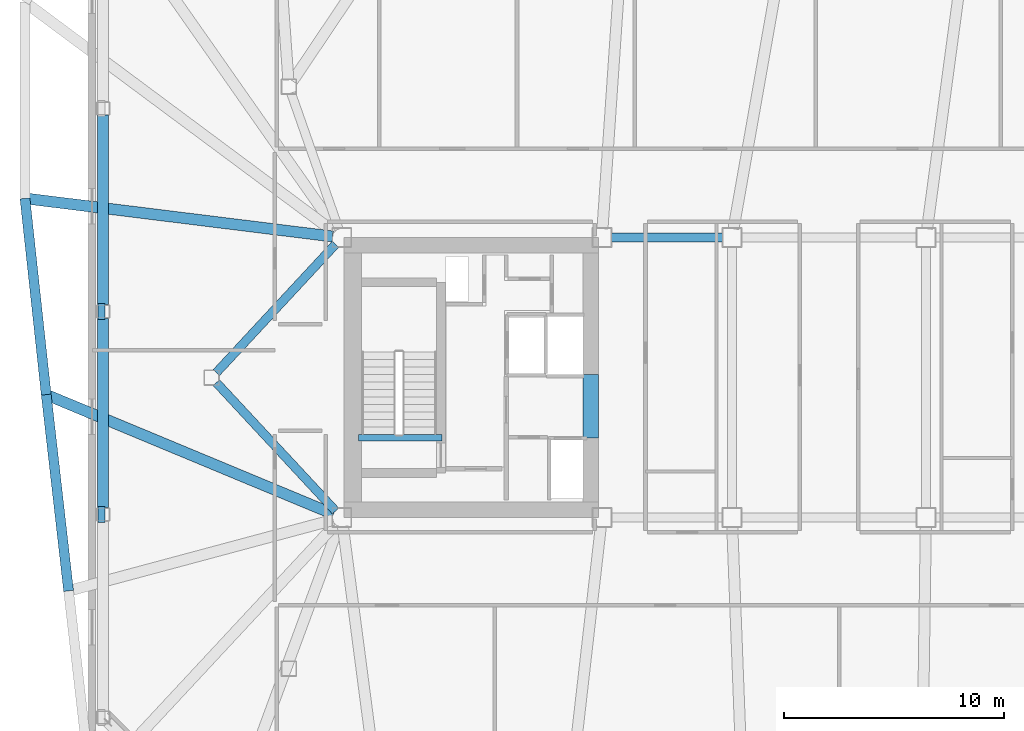
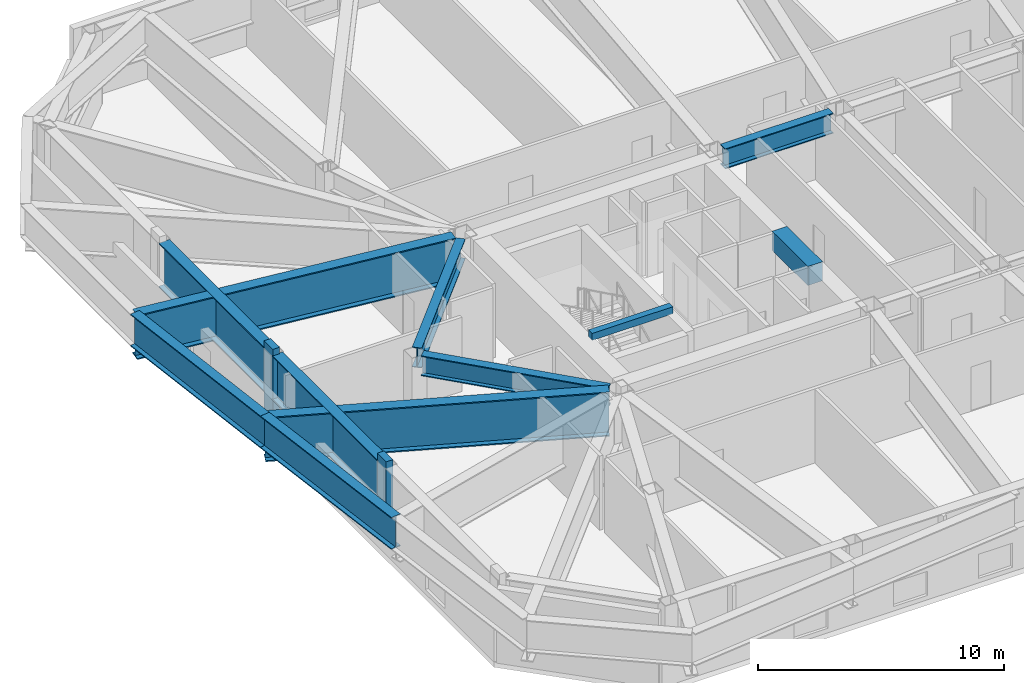
# One storey, part 3 of 19: 11 beams, 2 members.
"""IFC4 building model written with IfcOpenShell, lengths in metres."""

from ifc_helpers import new_model, si_unit, direction, frame, origin, origin_2d, place, context, subcontext, project, spatial, rectangle, i_section, extrude, material, material_profile, profile_set, type_object, element, save


model = new_model("IFC4")

# Units and contexts
model_context = context("Model", 3, precision=1e-05, world=origin(), true_north=direction((0.0, 1.0)))
body_context = subcontext(model_context, "Body", "Model", "MODEL_VIEW")
ifc_project = project(units=[si_unit("LENGTHUNIT", "METRE"), si_unit("AREAUNIT", "SQUARE_METRE"), si_unit("VOLUMEUNIT", "CUBIC_METRE"), si_unit("PLANEANGLEUNIT", "RADIAN"), si_unit("MASSUNIT", "GRAM", prefix="KILO")], contexts=[model_context])

# Site, building, storey
site_placement = place(None, origin())
site = spatial("IfcSite", under=ifc_project, at=site_placement, CompositionType="ELEMENT")
building_placement = place(site_placement, origin())
building = spatial("IfcBuilding", under=site, at=building_placement, Name="Tavrogorsk Clinical Tower", CompositionType="ELEMENT")
storey_placement = place(building_placement, frame((0.0, 0.0, 204.199951171875)))
storey = spatial("IfcBuildingStorey", under=building, at=storey_placement, Name="L47", CompositionType="ELEMENT", Elevation=204.199951171875)

# Beam
ifc_material_1 = material(Name="Concrete B80", Category="concrete")
ifc_material_profile_1 = material_profile(ifc_material_1, rectangle(XDim=0.699951171875, YDim=0.949951171875, at=origin_2d()), Name="RC-CB-700x950")
ifc_profile_set_1 = profile_set([ifc_material_profile_1], Name="Concrete B80")
beam_type_1 = type_object("IfcBeamType", Name="CouplingBeam_RC700x950", PredefinedType="LINTEL", material=ifc_profile_set_1)
beam_1_placement = place(storey_placement, frame((-10.800048828125, -2.75, 3.205078125), z_axis=(0.0, 1.0, 0.0), x_axis=(-1.0, 0.0, 0.0)))
element("IfcBeam", 1, at=beam_1_placement, inside=storey, type_object=beam_type_1, Name="L47 Core West Coupling Beam", PredefinedType="LINTEL", context=body_context, shape_type="SweptSolid", body=[
    extrude(rectangle(XDim=0.699951171875, YDim=0.949951171875, at=origin_2d()), origin(), (0.0, 0.0, 1.0), 2.89990234375),
])

# Members
ifc_material_2 = material(Name="Precast concrete B45 with limestone cladding", Category="masonry")
ifc_material_profile_2 = material_profile(ifc_material_2, rectangle(XDim=0.320068359375, YDim=0.719970703125, at=origin_2d()), Name="LIMESTONE-FIN-320x720")
ifc_profile_set_2 = profile_set([ifc_material_profile_2], Name="Precast concrete B45 with limestone cladding")
member_type = type_object("IfcMemberType", Name="LimestonePleatFin_320x720", PredefinedType="USERDEFINED", material=ifc_profile_set_2)
for number, where, z_axis, x_axis, name in (
    (2, (-33.0, 3.0, 0.0), (0.0, 0.0, 1.0), (1.0, 0.0, 0.0), "L47 W Pleated Stone Fin 2"),
    (3, (-33.0, -6.2099609375, 0.0), (0.0, 0.0, 1.0), (1.0, 0.0, 0.0), "L47 W Pleated Stone Fin 3"),
):
    element("IfcMember", number, at=place(storey_placement, frame(where, z_axis=z_axis, x_axis=x_axis)), inside=storey, type_object=member_type, Name=name, ObjectType="FIN", PredefinedType="USERDEFINED", context=body_context, shape_type="SweptSolid", body=[
        extrude(rectangle(XDim=0.320068359375, YDim=0.719970703125, at=origin_2d()), origin(), (0.0, 0.0, 1.0), 4.0),
    ])

# Beams
ifc_material_3 = material(Name="Concrete B60", Category="concrete")
ifc_material_profile_3 = material_profile(ifc_material_3, rectangle(XDim=0.300048828125, YDim=0.35009765625, at=origin_2d()), Name="RC-SHB-300x350")
ifc_profile_set_3 = profile_set([ifc_material_profile_3], Name="Concrete B60")
beam_type_2 = type_object("IfcBeamType", Name="StairHeaderBeam_RC300x350", PredefinedType="BEAM", material=ifc_profile_set_3)
beam_2_placement = place(storey_placement, frame((-21.35009765625, -2.719970703125, 3.824951171875), z_axis=(1.0, 0.0, 0.0), x_axis=(0.0, 1.0, 0.0)))
element("IfcBeam", 4, at=beam_2_placement, inside=storey, type_object=beam_type_2, Name="L48 ST-W Landing Header Beam", PredefinedType="BEAM", context=body_context, shape_type="SweptSolid", body=[
    extrude(rectangle(XDim=0.300048828125, YDim=0.35009765625, at=origin_2d()), origin(), (0.0, 0.0, 1.0), 3.800048828125),
])
ifc_material_4 = material(Name="Structural steel S440", Category="steel")
ifc_material_profile_4 = material_profile(ifc_material_4, i_section(OverallWidth=0.39990234375, OverallDepth=1.0, WebThickness=0.028076171875, FlangeThickness=0.044921875, at=origin_2d()), Name="DK-1000x400x28x45")
ifc_profile_set_4 = profile_set([ifc_material_profile_4], Name="Structural steel S440")
beam_type_3 = type_object("IfcBeamType", Name="TransferGirder_DK1000", PredefinedType="USERDEFINED", material=ifc_profile_set_4)
beam_3_placement = place(storey_placement, frame((-9.889892578125, 6.35009765625, 3.179931640625), z_axis=(1.0, 0.0, 0.0), x_axis=(0.0, 1.0, 0.0)))
element("IfcBeam", 5, at=beam_3_placement, inside=storey, type_object=beam_type_3, Name="L47 Primary Spine Girder MG-02", ObjectType="GIRDER", PredefinedType="USERDEFINED", context=body_context, shape_type="SweptSolid", body=[
    extrude(i_section(OverallWidth=0.39990234375, OverallDepth=1.0, WebThickness=0.028076171875, FlangeThickness=0.044921875, at=origin_2d()), origin(), (0.0, 0.0, 1.0), 5.079833984375),
])
for number, where, z_axis, x_axis, name in (
    (6, (-27.7890625, -0.22705078125, 3.179931640625), (0.680673750312, -0.732586681312, 0.0), (0.732586681312, 0.680673750312, 0.0), "L47 Spine Link Girder OPG-5"),
    (7, (-27.7890625, 0.22705078125, 3.179931640625), (0.680673750312, 0.732586681312, 0.0), (-0.732586681312, 0.680673750312, 0.0), "L47 Spine Link Girder OPG-6"),
):
    element("IfcBeam", number, at=place(storey_placement, frame(where, z_axis=z_axis, x_axis=x_axis)), inside=storey, type_object=beam_type_3, Name=name, ObjectType="GIRDER", PredefinedType="USERDEFINED", context=body_context, shape_type="SweptSolid", body=[
        extrude(i_section(OverallWidth=0.39990234375, OverallDepth=1.0, WebThickness=0.028076171875, FlangeThickness=0.044921875, at=origin_2d()), origin(), (0.0, 0.0, 1.0), 7.947998046875),
    ])
ifc_material_5 = material(Name="Structural steel S440", Category="steel")
ifc_material_profile_5 = material_profile(ifc_material_5, i_section(OverallWidth=0.449951171875, OverallDepth=1.60009765625, WebThickness=0.031982421875, FlangeThickness=0.050048828125, at=origin_2d()), Name="DK-1600x450x32x50")
ifc_profile_set_5 = profile_set([ifc_material_profile_5], Name="Structural steel S440")
beam_type_4 = type_object("IfcBeamType", Name="TransferGirder_DK1600", PredefinedType="USERDEFINED", material=ifc_profile_set_5)
beam_4_placement = place(storey_placement, frame((-36.469970703125, 8.130615234375, 2.880126953125), z_axis=(0.107666115269, -0.99418710896, 0.0), x_axis=(0.99418710896, 0.107666115269, 0.0)))
element("IfcBeam", 8, at=beam_4_placement, inside=storey, type_object=beam_type_4, Name="L48 Transfer Edge Girder W2-W3", ObjectType="GIRDER", PredefinedType="USERDEFINED", context=body_context, shape_type="SweptSolid", body=[
    extrude(i_section(OverallWidth=0.449951171875, OverallDepth=1.60009765625, WebThickness=0.031982421875, FlangeThickness=0.050048828125, at=origin_2d()), origin(), (0.0, 0.0, 1.0), 8.95458984375),
])
beam_5_placement = place(storey_placement, frame((-35.505859375, -0.77197265625, 2.880126953125), z_axis=(0.11321537145, -0.993570470408, 0.0), x_axis=(0.993570470408, 0.11321537145, 0.0)))
element("IfcBeam", 9, at=beam_5_placement, inside=storey, type_object=beam_type_4, Name="L48 Transfer Edge Girder W3-W4", ObjectType="GIRDER", PredefinedType="USERDEFINED", context=body_context, shape_type="SweptSolid", body=[
    extrude(i_section(OverallWidth=0.449951171875, OverallDepth=1.60009765625, WebThickness=0.031982421875, FlangeThickness=0.050048828125, at=origin_2d()), origin(), (0.0, 0.0, 1.0), 8.9599609375),
])
ifc_material_6 = material(Name="Structural steel S440", Category="steel")
ifc_material_profile_6 = material_profile(ifc_material_6, i_section(OverallWidth=0.5, OverallDepth=2.199951171875, WebThickness=0.035888671875, FlangeThickness=0.054931640625, at=origin_2d()), Name="DK-2200x500x36x55")
ifc_profile_set_6 = profile_set([ifc_material_profile_6], Name="Structural steel S440")
beam_type_5 = type_object("IfcBeamType", Name="TransferGirder_DK2200", PredefinedType="USERDEFINED", material=ifc_profile_set_6)
for number, where, z_axis, x_axis, name in (
    (10, (-32.919921875, 11.902099609375, 2.580078125), (0.0, -1.0, 0.0), (1.0, 0.0, 0.0), "L47 Perimeter Spandrel W2-W3"),
    (11, (-32.919921875, 2.69189453125, 2.580078125), (0.0, -1.0, 0.0), (1.0, 0.0, 0.0), "L47 Perimeter Spandrel W3-W4"),
):
    element("IfcBeam", number, at=place(storey_placement, frame(where, z_axis=z_axis, x_axis=x_axis)), inside=storey, type_object=beam_type_5, Name=name, ObjectType="GIRDER", PredefinedType="USERDEFINED", context=body_context, shape_type="SweptSolid", body=[
        extrude(i_section(OverallWidth=0.5, OverallDepth=2.199951171875, WebThickness=0.035888671875, FlangeThickness=0.054931640625, at=origin_2d()), origin(), (0.0, 0.0, 1.0), 8.593994140625),
    ])
beam_6_placement = place(storey_placement, frame((-22.5068359375, 6.400390625, 2.580078125), z_axis=(-0.992409984706, 0.122973258294, 0.0), x_axis=(-0.122973258294, -0.992409984706, 0.0)))
element("IfcBeam", 12, at=beam_6_placement, inside=storey, type_object=beam_type_5, Name="L48 Block Transfer Girder W2", ObjectType="GIRDER", PredefinedType="USERDEFINED", context=body_context, shape_type="SweptSolid", body=[
    extrude(i_section(OverallWidth=0.5, OverallDepth=2.199951171875, WebThickness=0.035888671875, FlangeThickness=0.054931640625, at=origin_2d()), origin(), (0.0, 0.0, 1.0), 14.06982421875),
])
beam_7_placement = place(storey_placement, frame((-22.478515625, -6.1923828125, 2.580078125), z_axis=(-0.923269286645, 0.384153386471, 0.0), x_axis=(-0.384153386471, -0.923269286645, 0.0)))
element("IfcBeam", 13, at=beam_7_placement, inside=storey, type_object=beam_type_5, Name="L48 Block Transfer Girder W3", ObjectType="GIRDER", PredefinedType="USERDEFINED", context=body_context, shape_type="SweptSolid", body=[
    extrude(i_section(OverallWidth=0.5, OverallDepth=2.199951171875, WebThickness=0.035888671875, FlangeThickness=0.054931640625, at=origin_2d()), origin(), (0.0, 0.0, 1.0), 14.110107421875),
])

save(model, "model.ifc")
